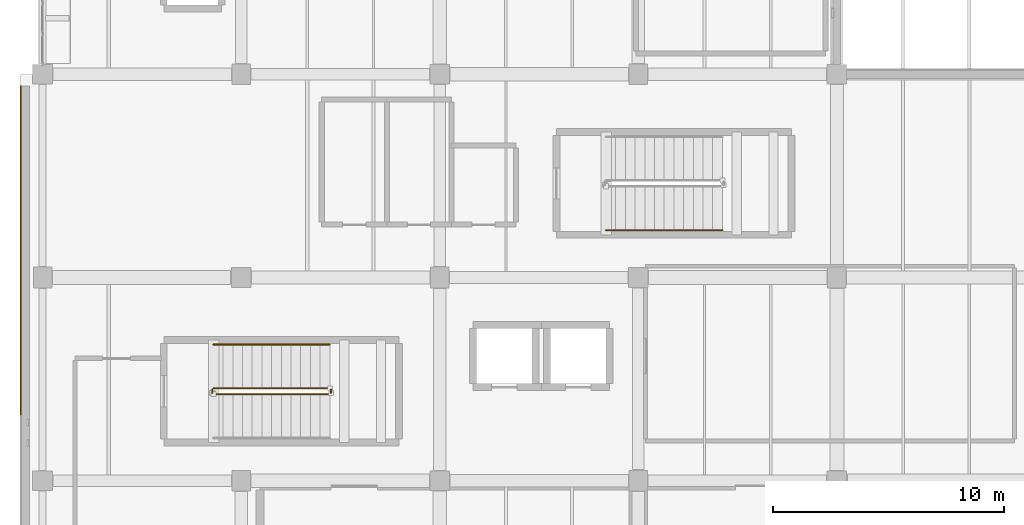
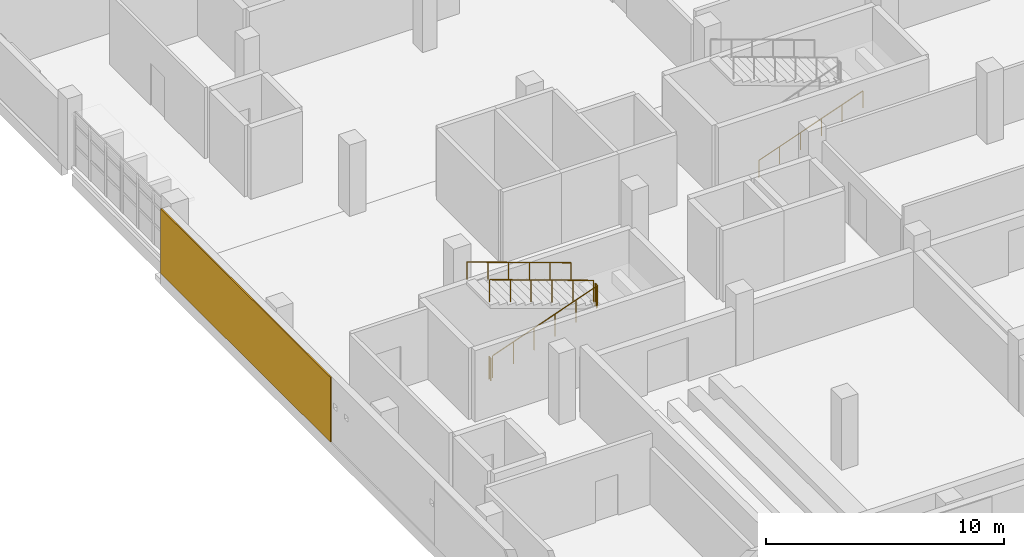
# One storey, part 70 of 80: 6 railings, 1 covering.
"""IFC4 building model written with IfcOpenShell, lengths in metres."""

from ifc_helpers import new_model, si_unit, direction, frame, origin, origin_2d, place, context, subcontext, project, spatial, rectangle, circle, extrude, material, layer, layer_set, type_object, element, save


model = new_model("IFC4")

# Units and contexts
model_context = context("Model", 3, precision=1e-05, world=origin(), true_north=direction((0.0, 1.0)))
body_context = subcontext(model_context, "Body", "Model", "MODEL_VIEW")
ifc_project = project(units=[si_unit("LENGTHUNIT", "METRE"), si_unit("AREAUNIT", "SQUARE_METRE"), si_unit("VOLUMEUNIT", "CUBIC_METRE"), si_unit("PLANEANGLEUNIT", "RADIAN"), si_unit("MASSUNIT", "GRAM", prefix="KILO")], contexts=[model_context])

# Site, building, storey
site_placement = place(None, origin())
site = spatial("IfcSite", under=ifc_project, at=site_placement, CompositionType="ELEMENT")
building_placement = place(site_placement, origin())
building = spatial("IfcBuilding", under=site, at=building_placement, Name="Varnakota Cinema and Media Centre", CompositionType="ELEMENT")
storey_placement = place(building_placement, frame((0.0, 0.0, 4.5)))
storey = spatial("IfcBuildingStorey", under=building, at=storey_placement, Name="L01", CompositionType="ELEMENT", Elevation=4.5)

# Covering
ifc_material_1 = material(Name="Pale Tandur limestone cladding", Category="masonry")
ifc_layer_1 = layer(ifc_material_1, 0.06005859375)
ifc_layer_set_1 = layer_set([ifc_layer_1], Name="Pale Tandur limestone cladding")
covering_type = type_object("IfcCoveringType", Name="COV-TANDUR-ASHLAR-60", PredefinedType="CLADDING", material=ifc_layer_set_1)
covering_placement = place(storey_placement, frame((-0.945068359375, 27.574951171875, 0.330078125), z_axis=(0.0, 0.0, 1.0), x_axis=(0.0, 1.0, 0.0)))
element("IfcCovering", 1, at=covering_placement, inside=storey, type_object=covering_type, Name="L01 V4 pale Tandur stone right corner ashlar V4-W", PredefinedType="CLADDING", context=body_context, shape_type="SweptSolid", body=[
    extrude(rectangle(XDim=14.25, YDim=0.06005859375, at=origin_2d()), origin(), (0.0, 0.0, 1.0), 3.320068359375),
])

# Railings
ifc_material_2 = material(Name="Structural steel Grade 350 (E350)", Category="steel")
ifc_layer_2 = layer(ifc_material_2, 0.050048828125)
ifc_layer_set_2 = layer_set([ifc_layer_2], Name="Structural steel Grade 350 (E350)")
railing_type_1 = type_object("IfcRailingType", Name="RAIL-STAIR-GUARD-1150", PredefinedType="GUARDRAIL", material=ifc_layer_set_2)
railing_1_placement = place(storey_placement, frame((7.39990234375, 21.35009765625, 0.14990234375)))
element("IfcRailing", 2, at=railing_1_placement, inside=storey, type_object=railing_type_1, Name="L01 ST-01 stair guard 1", PredefinedType="GUARDRAIL", context=body_context, shape_type="SweptSolid", body=[
    extrude(circle(Radius=0.02392578125, at=origin_2d()), frame((0.0, 0.0, 1.1259765625), z_axis=(0.94173984741, 0.0, 0.336342176659), x_axis=(0.0, 1.0, 0.0)), (0.0, 0.0, 1.0), 5.351806640625),
    extrude(circle(Radius=0.02099609375, at=origin_2d()), origin(), (0.0, 0.0, 1.0), 1.101806640625),
    extrude(circle(Radius=0.02099609375, at=origin_2d()), frame((1.008056640625, 0.0, 0.360107421875)), (0.0, 0.0, 1.0), 1.101806640625),
    extrude(circle(Radius=0.02099609375, at=origin_2d()), frame((2.01611328125, 0.0, 0.719970703125)), (0.0, 0.0, 1.0), 1.101806640625),
    extrude(circle(Radius=0.02099609375, at=origin_2d()), frame((3.02392578125, 0.0, 1.080078125)), (0.0, 0.0, 1.0), 1.101806640625),
    extrude(circle(Radius=0.02099609375, at=origin_2d()), frame((4.031982421875, 0.0, 1.43994140625)), (0.0, 0.0, 1.0), 1.101806640625),
    extrude(circle(Radius=0.02099609375, at=origin_2d()), frame((5.0400390625, 0.0, 1.800048828125)), (0.0, 0.0, 1.0), 1.101806640625),
])
railing_2_placement = place(storey_placement, frame((12.489990234375, 21.39990234375, 1.949951171875)))
element("IfcRailing", 3, at=railing_2_placement, inside=storey, type_object=railing_type_1, Name="L01 ST-01 stair guard 2", PredefinedType="GUARDRAIL", context=body_context, shape_type="SweptSolid", body=[
    extrude(circle(Radius=0.02392578125, at=origin_2d()), frame((0.0, 0.0, 1.1259765625), z_axis=(0.0, 1.0, 0.0), x_axis=(-1.0, 0.0, 0.0)), (0.0, 0.0, 1.0), 0.150146484375),
    extrude(circle(Radius=0.02099609375, at=origin_2d()), origin(), (0.0, 0.0, 1.0), 1.101806640625),
    extrude(circle(Radius=0.02099609375, at=origin_2d()), frame((0.0, 0.150146484375, 0.0)), (0.0, 0.0, 1.0), 1.101806640625),
])
railing_3_placement = place(storey_placement, frame((12.43994140625, 21.60009765625, 2.10009765625)))
element("IfcRailing", 4, at=railing_3_placement, inside=storey, type_object=railing_type_1, Name="L01 ST-01 stair guard 3", PredefinedType="GUARDRAIL", context=body_context, shape_type="SweptSolid", body=[
    extrude(circle(Radius=0.02392578125, at=origin_2d()), frame((0.0, 0.0, 1.1259765625), z_axis=(-0.941754296148, 0.0, 0.336301718233), x_axis=(0.0, -1.0, 0.0)), (0.0, 0.0, 1.0), 5.351806640625),
    extrude(circle(Radius=0.02099609375, at=origin_2d()), origin(), (0.0, 0.0, 1.0), 1.101806640625),
    extrude(circle(Radius=0.02099609375, at=origin_2d()), frame((-1.008056640625, 0.0, 0.35986328125)), (0.0, 0.0, 1.0), 1.101806640625),
    extrude(circle(Radius=0.02099609375, at=origin_2d()), frame((-2.01611328125, 0.0, 0.719970703125)), (0.0, 0.0, 1.0), 1.101806640625),
    extrude(circle(Radius=0.02099609375, at=origin_2d()), frame((-3.02392578125, 0.0, 1.079833984375)), (0.0, 0.0, 1.0), 1.101806640625),
    extrude(circle(Radius=0.02099609375, at=origin_2d()), frame((-4.031982421875, 0.0, 1.43994140625)), (0.0, 0.0, 1.0), 1.101806640625),
    extrude(circle(Radius=0.02099609375, at=origin_2d()), frame((-5.0400390625, 0.0, 1.7998046875)), (0.0, 0.0, 1.0), 1.101806640625),
])
railing_4_placement = place(storey_placement, frame((7.35009765625, 21.39990234375, 0.0)))
element("IfcRailing", 5, at=railing_4_placement, inside=storey, type_object=railing_type_1, Name="L01 ST-01 stair guard 4", PredefinedType="GUARDRAIL", context=body_context, shape_type="SweptSolid", body=[
    extrude(circle(Radius=0.02392578125, at=origin_2d()), frame((0.0, 0.0, 1.1259765625), z_axis=(0.0, 1.0, 0.0), x_axis=(-1.0, 0.0, 0.0)), (0.0, 0.0, 1.0), 0.150146484375),
    extrude(circle(Radius=0.02099609375, at=origin_2d()), origin(), (0.0, 0.0, 1.0), 1.101806640625),
    extrude(circle(Radius=0.02099609375, at=origin_2d()), frame((0.0, 0.150146484375, 0.0)), (0.0, 0.0, 1.0), 1.101806640625),
])
ifc_material_3 = material(Name="Structural steel Grade 350 (E350)", Category="steel")
ifc_layer_3 = layer(ifc_material_3, 0.048095703125)
ifc_layer_set_3 = layer_set([ifc_layer_3], Name="Structural steel Grade 350 (E350)")
railing_type_2 = type_object("IfcRailingType", Name="RAIL-STAIR-HAND-900", PredefinedType="HANDRAIL", material=ifc_layer_set_3)
railing_5_placement = place(storey_placement, frame((12.43994140625, 23.5, 2.10009765625)))
element("IfcRailing", 6, at=railing_5_placement, inside=storey, type_object=railing_type_2, Name="L01 ST-01 stair handrail 2", PredefinedType="HANDRAIL", context=body_context, shape_type="SweptSolid", body=[
    extrude(circle(Radius=0.02392578125, at=origin_2d()), frame((0.0, 0.0, 0.8759765625), z_axis=(-0.941754296148, 0.0, 0.336301718233), x_axis=(0.0, -1.0, 0.0)), (0.0, 0.0, 1.0), 5.351806640625),
    extrude(circle(Radius=0.02099609375, at=origin_2d()), origin(), (0.0, 0.0, 1.0), 0.851806640625),
    extrude(circle(Radius=0.02099609375, at=origin_2d()), frame((-1.008056640625, 0.0, 0.35986328125)), (0.0, 0.0, 1.0), 0.851806640625),
    extrude(circle(Radius=0.02099609375, at=origin_2d()), frame((-2.01611328125, 0.0, 0.719970703125)), (0.0, 0.0, 1.0), 0.851806640625),
    extrude(circle(Radius=0.02099609375, at=origin_2d()), frame((-3.02392578125, 0.0, 1.079833984375)), (0.0, 0.0, 1.0), 0.851806640625),
    extrude(circle(Radius=0.02099609375, at=origin_2d()), frame((-4.031982421875, 0.0, 1.43994140625)), (0.0, 0.0, 1.0), 0.851806640625),
    extrude(circle(Radius=0.02099609375, at=origin_2d()), frame((-5.0400390625, 0.0, 1.7998046875)), (0.0, 0.0, 1.0), 0.851806640625),
])
railing_6_placement = place(storey_placement, frame((24.39990234375, 28.449951171875, 0.14990234375)))
element("IfcRailing", 7, at=railing_6_placement, inside=storey, type_object=railing_type_2, Name="L01 ST-02 stair handrail 1", PredefinedType="HANDRAIL", context=body_context, shape_type="SweptSolid", body=[
    extrude(circle(Radius=0.02392578125, at=origin_2d()), frame((0.0, 0.0, 0.8759765625), z_axis=(0.94173984741, 0.0, 0.336342176659), x_axis=(0.0, 1.0, 0.0)), (0.0, 0.0, 1.0), 5.351806640625),
    extrude(circle(Radius=0.02099609375, at=origin_2d()), origin(), (0.0, 0.0, 1.0), 0.851806640625),
    extrude(circle(Radius=0.02099609375, at=origin_2d()), frame((1.008056640625, 0.0, 0.360107421875)), (0.0, 0.0, 1.0), 0.851806640625),
    extrude(circle(Radius=0.02099609375, at=origin_2d()), frame((2.01611328125, 0.0, 0.719970703125)), (0.0, 0.0, 1.0), 0.851806640625),
    extrude(circle(Radius=0.02099609375, at=origin_2d()), frame((3.02392578125, 0.0, 1.080078125)), (0.0, 0.0, 1.0), 0.851806640625),
    extrude(circle(Radius=0.02099609375, at=origin_2d()), frame((4.031982421875, 0.0, 1.43994140625)), (0.0, 0.0, 1.0), 0.851806640625),
    extrude(circle(Radius=0.02099609375, at=origin_2d()), frame((5.0400390625, 0.0, 1.800048828125)), (0.0, 0.0, 1.0), 0.851806640625),
])

save(model, "model.ifc")
